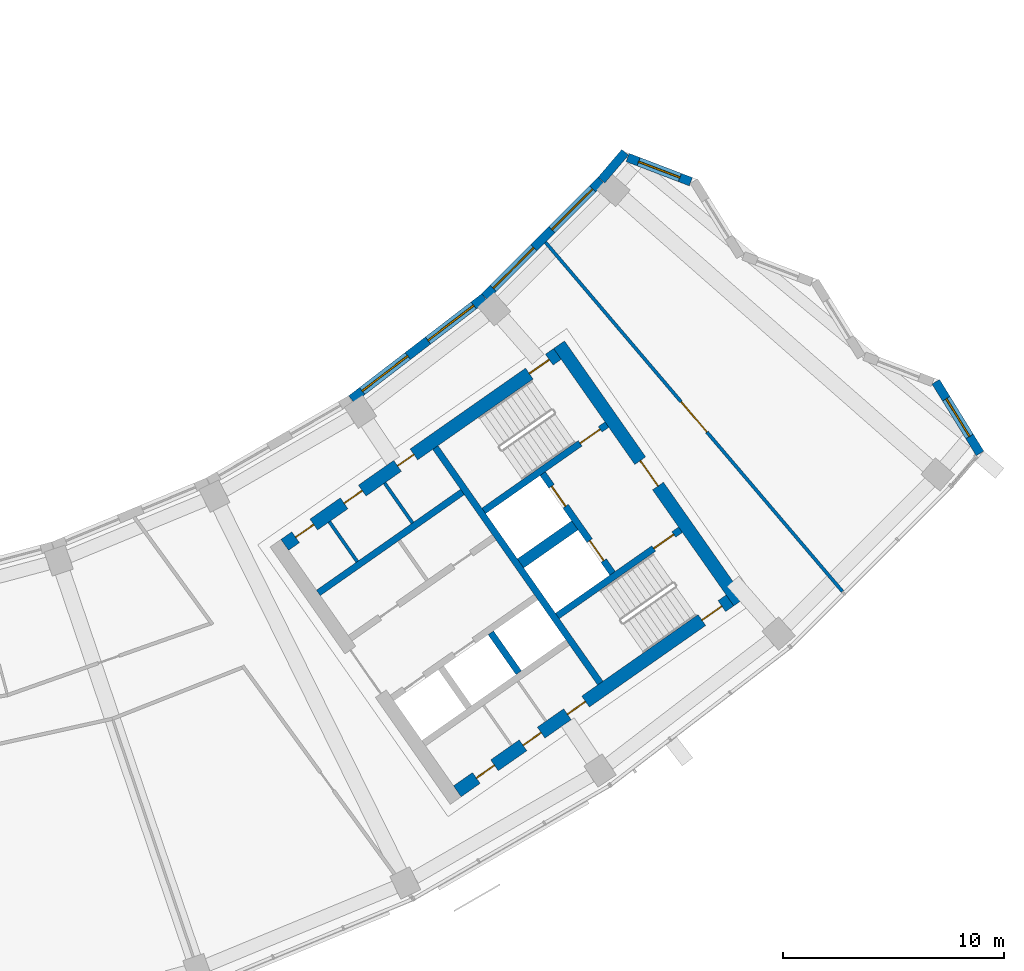
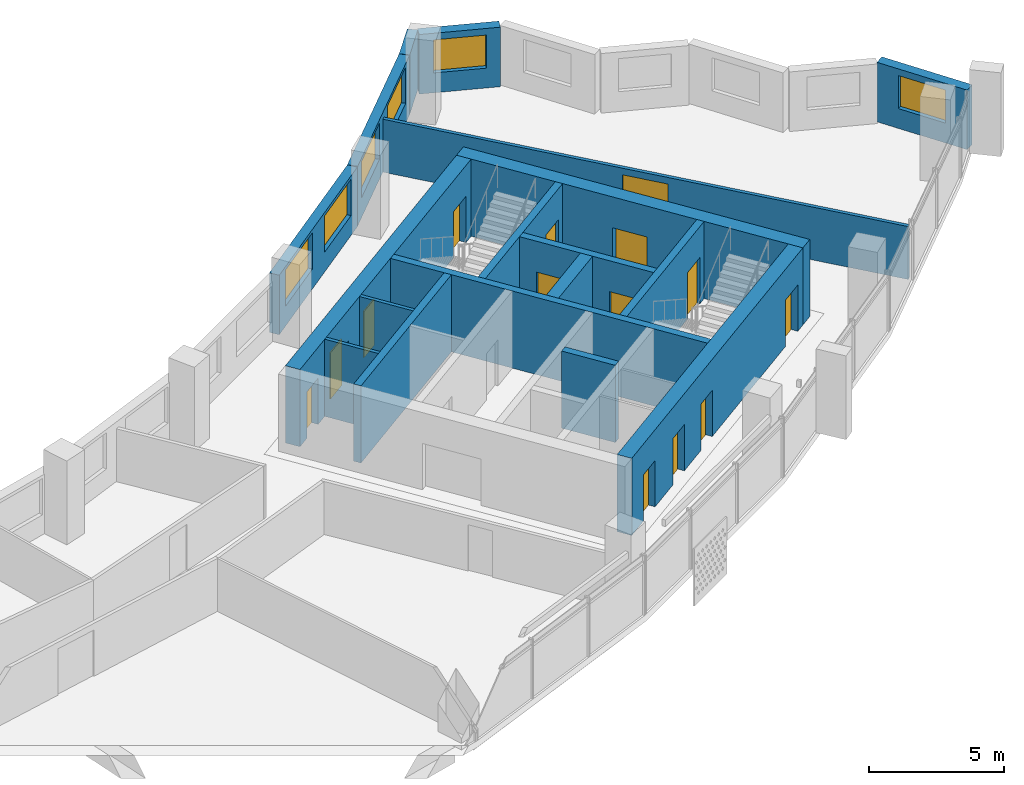
# One storey, part 7 of 28: 18 walls, 14 doors, 6 windows, 20 openings.
"""IFC4 building model written with IfcOpenShell, lengths in metres."""

from ifc_helpers import new_model, si_unit, direction, frame, frame_2d, origin, place, context, subcontext, project, spatial, rectangle, extrude, material, layer, layer_set, type_object, element, fill, save


model = new_model("IFC4")

# Units and contexts
model_context = context("Model", 3, precision=1e-05, world=origin(), true_north=direction((0.0, 1.0)))
body_context = subcontext(model_context, "Body", "Model", "MODEL_VIEW")
ifc_project = project(units=[si_unit("LENGTHUNIT", "METRE"), si_unit("AREAUNIT", "SQUARE_METRE"), si_unit("VOLUMEUNIT", "CUBIC_METRE"), si_unit("PLANEANGLEUNIT", "RADIAN"), si_unit("MASSUNIT", "GRAM", prefix="KILO")], contexts=[model_context])

# Site, building, storey
site_placement = place(None, origin())
site = spatial("IfcSite", under=ifc_project, at=site_placement, CompositionType="ELEMENT")
building_placement = place(site_placement, origin())
building = spatial("IfcBuilding", under=site, at=building_placement, Name="Qamariyya Broadcast Tower", CompositionType="ELEMENT")
storey_placement = place(building_placement, frame((0.0, 0.0, 215.10009765625)))
storey = spatial("IfcBuildingStorey", under=building, at=storey_placement, Name="L51", CompositionType="ELEMENT", Elevation=215.10009765625)

# Wall, opening, door
ifc_material_1 = material(Name="Concrete C60/75", Category="concrete")
ifc_layer_1 = layer(ifc_material_1, 0.60009765625)
ifc_layer_set_1 = layer_set([ifc_layer_1], Name="Core wall 600 mm Concrete C60/75")
wall_type_1 = type_object("IfcWallType", Name="Core wall 600 mm Concrete C60/75", PredefinedType="SHEAR", material=ifc_layer_set_1)
wall_1_placement = place(storey_placement, frame((49.4833984375, -57.031494140625, 0.0), z_axis=(0.0, 0.0, 1.0), x_axis=(-0.573560421458, 0.819163257805, 0.0)))
wall_1 = element("IfcWall", 1, at=wall_1_placement, inside=storey, type_object=wall_type_1, Name="k-E-L51-WH", PredefinedType="SHEAR", context=body_context, shape_type="SweptSolid", body=[
    extrude(rectangle(XDim=14.199951171875, YDim=0.60009765625, at=frame_2d((7.10009765625, 0.0))), origin(), (0.0, 0.0, 1.0), 3.5),
])
opening_1_placement = place(wall_1_placement, frame((6.39990234375, 0.0, 0.0)))
opening_1 = element("IfcOpeningElement", 2, at=opening_1_placement, cuts=wall_1, Name="Opening KD2-E1", PredefinedType="OPENING", context=body_context, shape_type="SweptSolid", body=[
    extrude(rectangle(XDim=1.39990234375, YDim=2.10009765625, at=frame_2d((0.699951171875, 1.050048828125))), frame((0.0, 0.31005859375, 0.0), z_axis=(0.0, -1.0, 0.0), x_axis=(1.0, 0.0, 0.0)), (0.0, 0.0, 1.0), 0.6201171875),
])
ifc_material_2 = material(Name="Steel fire-resisting door leaf", Category="steel")
door_type_1 = type_object("IfcDoorType", Name="Fire-fighting lobby door KD2", OperationType="DOUBLE_DOOR_SINGLE_SWING", PredefinedType="DOOR", material=ifc_material_2)
door_1_placement = place(opening_1_placement, origin())
door_1 = element("IfcDoor", 3, at=door_1_placement, inside=storey, type_object=door_type_1, Name="k-E-L51-WH-D14", OperationType="DOUBLE_DOOR_SINGLE_SWING", OverallHeight=2.10009765625, OverallWidth=1.39990234375, PredefinedType="DOOR", context=body_context, shape_type="SweptSolid", body=[
    extrude(rectangle(XDim=1.39990234375, YDim=2.10009765625, at=frame_2d((0.699951171875, 1.050048828125))), frame((0.0, 0.02490234375, 0.0), z_axis=(0.0, -1.0, 0.0), x_axis=(1.0, 0.0, 0.0)), (0.0, 0.0, 1.0), 0.050048828125),
])
fill(opening_1, door_1)

# Wall, openings, doors
wall_2_placement = place(storey_placement, frame((28.940673828125, -54.447021484375, 0.0), z_axis=(0.0, 0.0, 1.0), x_axis=(0.819153391756, 0.573574511963, 0.0)))
wall_2 = element("IfcWall", 4, at=wall_2_placement, inside=storey, type_object=wall_type_1, Name="k-E-L51-WI", PredefinedType="SHEAR", context=body_context, shape_type="SweptSolid", body=[
    extrude(rectangle(XDim=15.04541015625, YDim=0.60009765625, at=frame_2d((7.522705078125, 0.0))), origin(), (0.0, 0.0, 1.0), 3.5),
])
opening_2_placement = place(wall_2_placement, frame((0.60009765625, 0.0, 0.0)))
opening_2 = element("IfcOpeningElement", 5, at=opening_2_placement, cuts=wall_2, Name="Opening KD7-E1", PredefinedType="OPENING", context=body_context, shape_type="SweptSolid", body=[
    extrude(rectangle(XDim=1.0, YDim=2.10009765625, at=frame_2d((0.5, 1.050048828125))), frame((0.0, 0.31005859375, 0.0), z_axis=(0.0, -1.0, 0.0), x_axis=(1.0, 0.0, 0.0)), (0.0, 0.0, 1.0), 0.6201171875),
])
opening_3_placement = place(wall_2_placement, frame((3.27490234375, 0.0, 0.0)))
opening_3 = element("IfcOpeningElement", 6, at=opening_3_placement, cuts=wall_2, Name="Opening KD6-E3", PredefinedType="OPENING", context=body_context, shape_type="SweptSolid", body=[
    extrude(rectangle(XDim=1.0, YDim=2.10009765625, at=frame_2d((0.5, 1.050048828125))), frame((0.0, 0.31005859375, 0.0), z_axis=(0.0, -1.0, 0.0), x_axis=(1.0, 0.0, 0.0)), (0.0, 0.0, 1.0), 0.6201171875),
])
opening_4_placement = place(wall_2_placement, frame((6.22509765625, 0.0, 0.0)))
opening_4 = element("IfcOpeningElement", 7, at=opening_4_placement, cuts=wall_2, Name="Opening KD5-E1", PredefinedType="OPENING", context=body_context, shape_type="SweptSolid", body=[
    extrude(rectangle(XDim=0.89990234375, YDim=2.10009765625, at=frame_2d((0.449951171875, 1.050048828125))), frame((0.0, 0.31005859375, 0.0), z_axis=(0.0, -1.0, 0.0), x_axis=(1.0, 0.0, 0.0)), (0.0, 0.0, 1.0), 0.6201171875),
])
opening_5_placement = place(wall_2_placement, frame((13.495361328125, 0.0, 0.0)))
opening_5 = element("IfcOpeningElement", 8, at=opening_5_placement, cuts=wall_2, Name="Opening KD1-E1", PredefinedType="OPENING", context=body_context, shape_type="SweptSolid", body=[
    extrude(rectangle(XDim=1.10009765625, YDim=2.10009765625, at=frame_2d((0.550048828125, 1.050048828125))), frame((0.0, 0.31005859375, 0.0), z_axis=(0.0, -1.0, 0.0), x_axis=(1.0, 0.0, 0.0)), (0.0, 0.0, 1.0), 0.6201171875),
])
door_type_2 = type_object("IfcDoorType", Name="Accessible toilet door KD7", OperationType="SINGLE_SWING_LEFT", PredefinedType="DOOR", material=ifc_material_2)
door_2_placement = place(opening_2_placement, origin())
door_2 = element("IfcDoor", 9, at=door_2_placement, inside=storey, type_object=door_type_2, Name="k-E-L51-WI-D6", OperationType="SINGLE_SWING_RIGHT", OverallHeight=2.10009765625, OverallWidth=1.0, PredefinedType="DOOR", context=body_context, shape_type="SweptSolid", body=[
    extrude(rectangle(XDim=1.0, YDim=2.10009765625, at=frame_2d((0.5, 1.050048828125))), frame((0.0, 0.02490234375, 0.0), z_axis=(0.0, -1.0, 0.0), x_axis=(1.0, 0.0, 0.0)), (0.0, 0.0, 1.0), 0.050048828125),
])
fill(opening_2, door_2)
door_type_3 = type_object("IfcDoorType", Name="Core room door KD6", OperationType="SINGLE_SWING_LEFT", PredefinedType="DOOR", material=ifc_material_2)
door_3_placement = place(opening_3_placement, origin())
door_3 = element("IfcDoor", 10, at=door_3_placement, inside=storey, type_object=door_type_3, Name="k-E-L51-WI-D7", OperationType="SINGLE_SWING_LEFT", OverallHeight=2.10009765625, OverallWidth=1.0, PredefinedType="DOOR", context=body_context, shape_type="SweptSolid", body=[
    extrude(rectangle(XDim=1.0, YDim=2.10009765625, at=frame_2d((0.5, 1.050048828125))), frame((0.0, 0.02490234375, 0.0), z_axis=(0.0, -1.0, 0.0), x_axis=(1.0, 0.0, 0.0)), (0.0, 0.0, 1.0), 0.050048828125),
])
fill(opening_3, door_3)
door_type_4 = type_object("IfcDoorType", Name="Stair door KD1", OperationType="SINGLE_SWING_LEFT", PredefinedType="DOOR", material=ifc_material_2)
door_4_placement = place(opening_5_placement, origin())
door_4 = element("IfcDoor", 11, at=door_4_placement, inside=storey, type_object=door_type_4, Name="k-E-L51-WI-D15", OperationType="SINGLE_SWING_RIGHT", OverallHeight=2.10009765625, OverallWidth=1.10009765625, PredefinedType="DOOR", context=body_context, shape_type="SweptSolid", body=[
    extrude(rectangle(XDim=1.10009765625, YDim=2.10009765625, at=frame_2d((0.550048828125, 1.050048828125))), frame((0.0, 0.02490234375, 0.0), z_axis=(0.0, -1.0, 0.0), x_axis=(1.0, 0.0, 0.0)), (0.0, 0.0, 1.0), 0.050048828125),
])
fill(opening_5, door_4)
door_type_5 = type_object("IfcDoorType", Name="Toilet door KD5", OperationType="SINGLE_SWING_LEFT", PredefinedType="DOOR", material=ifc_material_2)
door_5_placement = place(opening_4_placement, origin())
door_5 = element("IfcDoor", 12, at=door_5_placement, inside=storey, type_object=door_type_5, Name="k-E-L51-WI-D8", OperationType="SINGLE_SWING_RIGHT", OverallHeight=2.10009765625, OverallWidth=0.89990234375, PredefinedType="DOOR", context=body_context, shape_type="SweptSolid", body=[
    extrude(rectangle(XDim=0.89990234375, YDim=2.10009765625, at=frame_2d((0.449951171875, 1.050048828125))), frame((0.0, 0.02490234375, 0.0), z_axis=(0.0, -1.0, 0.0), x_axis=(1.0, 0.0, 0.0)), (0.0, 0.0, 1.0), 0.050048828125),
])
fill(opening_4, door_5)

wall_3_placement = place(storey_placement, frame((36.7412109375, -65.58740234375, 0.0), z_axis=(0.0, 0.0, 1.0), x_axis=(0.819153391756, 0.573574511963, 0.0)))
wall_3 = element("IfcWall", 13, at=wall_3_placement, inside=storey, type_object=wall_type_1, Name="k-E-L51-WO", PredefinedType="SHEAR", context=body_context, shape_type="SweptSolid", body=[
    extrude(rectangle(XDim=15.04541015625, YDim=0.60009765625, at=frame_2d((7.522705078125, 0.0))), origin(), (0.0, 0.0, 1.0), 3.5),
])
opening_6_placement = place(wall_3_placement, frame((1.050048828125, 0.0, 0.0)))
opening_6 = element("IfcOpeningElement", 14, at=opening_6_placement, cuts=wall_3, Name="Opening KD4-E1", PredefinedType="OPENING", context=body_context, shape_type="SweptSolid", body=[
    extrude(rectangle(XDim=1.0, YDim=2.10009765625, at=frame_2d((0.5, 1.050048828125))), frame((0.0, 0.31005859375, 0.0), z_axis=(0.0, -1.0, 0.0), x_axis=(1.0, 0.0, 0.0)), (0.0, 0.0, 1.0), 0.6201171875),
])
opening_7_placement = place(wall_3_placement, frame((3.625, 0.0, 0.0)))
opening_7 = element("IfcOpeningElement", 15, at=opening_7_placement, cuts=wall_3, Name="Opening KD4-E2", PredefinedType="OPENING", context=body_context, shape_type="SweptSolid", body=[
    extrude(rectangle(XDim=1.0, YDim=2.10009765625, at=frame_2d((0.5, 1.050048828125))), frame((0.0, 0.31005859375, 0.0), z_axis=(0.0, -1.0, 0.0), x_axis=(1.0, 0.0, 0.0)), (0.0, 0.0, 1.0), 0.6201171875),
])
opening_8_placement = place(wall_3_placement, frame((6.074951171875, 0.0, 0.0)))
opening_8 = element("IfcOpeningElement", 16, at=opening_8_placement, cuts=wall_3, Name="Opening KD6-E4", PredefinedType="OPENING", context=body_context, shape_type="SweptSolid", body=[
    extrude(rectangle(XDim=1.0, YDim=2.10009765625, at=frame_2d((0.5, 1.050048828125))), frame((0.0, 0.31005859375, 0.0), z_axis=(0.0, -1.0, 0.0), x_axis=(1.0, 0.0, 0.0)), (0.0, 0.0, 1.0), 0.6201171875),
])
opening_9_placement = place(wall_3_placement, frame((13.495361328125, 0.0, 0.0)))
opening_9 = element("IfcOpeningElement", 17, at=opening_9_placement, cuts=wall_3, Name="Opening KD1-E3", PredefinedType="OPENING", context=body_context, shape_type="SweptSolid", body=[
    extrude(rectangle(XDim=1.10009765625, YDim=2.10009765625, at=frame_2d((0.550048828125, 1.050048828125))), frame((0.0, 0.31005859375, 0.0), z_axis=(0.0, -1.0, 0.0), x_axis=(1.0, 0.0, 0.0)), (0.0, 0.0, 1.0), 0.6201171875),
])
door_6_placement = place(opening_8_placement, origin())
door_6 = element("IfcDoor", 18, at=door_6_placement, inside=storey, type_object=door_type_3, Name="k-E-L51-WO-D11", OperationType="SINGLE_SWING_LEFT", OverallHeight=2.10009765625, OverallWidth=1.0, PredefinedType="DOOR", context=body_context, shape_type="SweptSolid", body=[
    extrude(rectangle(XDim=1.0, YDim=2.10009765625, at=frame_2d((0.5, 1.050048828125))), frame((0.0, 0.02490234375, 0.0), z_axis=(0.0, -1.0, 0.0), x_axis=(1.0, 0.0, 0.0)), (0.0, 0.0, 1.0), 0.050048828125),
])
fill(opening_8, door_6)
door_type_6 = type_object("IfcDoorType", Name="Riser and plant door KD4", OperationType="SINGLE_SWING_LEFT", PredefinedType="DOOR", material=ifc_material_2)
door_7_placement = place(opening_6_placement, origin())
door_7 = element("IfcDoor", 19, at=door_7_placement, inside=storey, type_object=door_type_6, Name="k-E-L51-WO-D9", OperationType="SINGLE_SWING_LEFT", OverallHeight=2.10009765625, OverallWidth=1.0, PredefinedType="DOOR", context=body_context, shape_type="SweptSolid", body=[
    extrude(rectangle(XDim=1.0, YDim=2.10009765625, at=frame_2d((0.5, 1.050048828125))), frame((0.0, 0.02490234375, 0.0), z_axis=(0.0, -1.0, 0.0), x_axis=(1.0, 0.0, 0.0)), (0.0, 0.0, 1.0), 0.050048828125),
])
fill(opening_6, door_7)
door_8_placement = place(opening_7_placement, origin())
door_8 = element("IfcDoor", 20, at=door_8_placement, inside=storey, type_object=door_type_6, Name="k-E-L51-WO-D10", OperationType="SINGLE_SWING_RIGHT", OverallHeight=2.10009765625, OverallWidth=1.0, PredefinedType="DOOR", context=body_context, shape_type="SweptSolid", body=[
    extrude(rectangle(XDim=1.0, YDim=2.10009765625, at=frame_2d((0.5, 1.050048828125))), frame((0.0, 0.02490234375, 0.0), z_axis=(0.0, -1.0, 0.0), x_axis=(1.0, 0.0, 0.0)), (0.0, 0.0, 1.0), 0.050048828125),
])
fill(opening_7, door_8)
door_9_placement = place(opening_9_placement, origin())
door_9 = element("IfcDoor", 21, at=door_9_placement, inside=storey, type_object=door_type_4, Name="k-E-L51-WO-D17", OperationType="SINGLE_SWING_LEFT", OverallHeight=2.10009765625, OverallWidth=1.10009765625, PredefinedType="DOOR", context=body_context, shape_type="SweptSolid", body=[
    extrude(rectangle(XDim=1.10009765625, YDim=2.10009765625, at=frame_2d((0.550048828125, 1.050048828125))), frame((0.0, 0.02490234375, 0.0), z_axis=(0.0, -1.0, 0.0), x_axis=(1.0, 0.0, 0.0)), (0.0, 0.0, 1.0), 0.050048828125),
])
fill(opening_9, door_9)

# Wall, opening, door
ifc_material_3 = material(Name="Gypsum board partition")
ifc_layer_2 = layer(ifc_material_3, 0.14990234375)
ifc_layer_set_2 = layer_set([ifc_layer_2], Name="Corridor partition 150 EI 60")
wall_type_2 = type_object("IfcWallType", Name="Corridor partition 150 EI 60", PredefinedType="PARTITIONING", material=ifc_layer_set_2)
wall_4_placement = place(storey_placement, frame((40.724853515625, -40.7705078125, 0.0), z_axis=(0.0, 0.0, 1.0), x_axis=(0.647962636986, -0.761672121762, 0.0)))
wall_4 = element("IfcWall", 22, at=wall_4_placement, inside=storey, type_object=wall_type_2, Name="Partition L51-028", PredefinedType="PARTITIONING", context=body_context, shape_type="SweptSolid", body=[
    extrude(rectangle(XDim=20.723388671875, YDim=0.14990234375, at=frame_2d((10.36181640625, 0.0))), origin(), (0.0, 0.0, 1.0), 2.39990234375),
])
opening_10_placement = place(wall_4_placement, frame((9.461669921875, 0.0, 0.0)))
opening_10 = element("IfcOpeningElement", 23, at=opening_10_placement, cuts=wall_4, Name="Opening L51-D14", PredefinedType="OPENING", context=body_context, shape_type="SweptSolid", body=[
    extrude(rectangle(XDim=1.800048828125, YDim=2.10009765625, at=frame_2d((0.89990234375, 1.050048828125))), frame((0.0, 0.0849609375, 0.0), z_axis=(0.0, -1.0, 0.0), x_axis=(1.0, 0.0, 0.0)), (0.0, 0.0, 1.0), 0.169921875),
])
ifc_material_4 = material(Name="Timber fire door leaf", Category="wood")
door_type_7 = type_object("IfcDoorType", Name="Double fire door 1800 x 2100 FD60", OperationType="NOTDEFINED", PredefinedType="DOOR", material=ifc_material_4)
door_10_placement = place(opening_10_placement, origin())
door_10 = element("IfcDoor", 24, at=door_10_placement, inside=storey, type_object=door_type_7, Name="Door L51-D14", OperationType="DOUBLE_DOOR_SINGLE_SWING", OverallHeight=2.10009765625, OverallWidth=1.800048828125, PredefinedType="DOOR", context=body_context, shape_type="SweptSolid", body=[
    extrude(rectangle(XDim=1.800048828125, YDim=2.10009765625, at=frame_2d((0.89990234375, 1.050048828125))), frame((0.0, 0.02490234375, 0.0), z_axis=(0.0, -1.0, 0.0), x_axis=(1.0, 0.0, 0.0)), (0.0, 0.0, 1.0), 0.050048828125),
])
fill(opening_10, door_10)

# Walls
ifc_layer_3 = layer(ifc_material_1, 0.5)
ifc_layer_set_3 = layer_set([ifc_layer_3], Name="Fire-fighting lobby divider wall 500 mm Concrete C60/75")
wall_type_3 = type_object("IfcWallType", Name="Fire-fighting lobby divider wall 500 mm Concrete C60/75", PredefinedType="SOLIDWALL", material=ifc_layer_set_3)
wall_5_placement = place(storey_placement, frame((39.59912109375, -55.28515625, 0.0), z_axis=(0.0, 0.0, 1.0), x_axis=(0.819136323161, 0.573598887793, 0.0)))
element("IfcWall", 25, at=wall_5_placement, inside=storey, type_object=wall_type_3, Name="k-E-L51-FD", PredefinedType="SOLIDWALL", context=body_context, shape_type="SweptSolid", body=[
    extrude(rectangle(XDim=2.999755859375, YDim=0.5, at=frame_2d((1.5, 0.0))), origin(), (0.0, 0.0, 1.0), 3.5),
])
ifc_material_5 = material(Name="Gypsum board partition on steel studs", Category="steel")
ifc_layer_4 = layer(ifc_material_5, 0.14990234375)
ifc_layer_set_4 = layer_set([ifc_layer_4], Name="Gypsum board partition 150 mm")
wall_type_4 = type_object("IfcWallType", Name="Gypsum board partition 150 mm", PredefinedType="PARTITIONING", material=ifc_layer_set_4)
wall_6_placement = place(storey_placement, frame((32.2177734375, -55.204345703125, 0.0), z_axis=(0.0, 0.0, 1.0), x_axis=(-0.573581496053, 0.819148501424, 0.0)))
element("IfcWall", 26, at=wall_6_placement, inside=storey, type_object=wall_type_4, Name="k-E-L51-NP225", PredefinedType="PARTITIONING", context=body_context, shape_type="SweptSolid", body=[
    extrude(rectangle(XDim=2.2001953125, YDim=0.14990234375, at=frame_2d((1.10009765625, 0.0))), origin(), (0.0, 0.0, 1.0), 3.5),
])
wall_7_placement = place(storey_placement, frame((34.716064453125, -53.454833984375, 0.0), z_axis=(0.0, 0.0, 1.0), x_axis=(-0.573507030513, 0.819200638399, 0.0)))
element("IfcWall", 27, at=wall_7_placement, inside=storey, type_object=wall_type_4, Name="k-E-L51-NP530", PredefinedType="PARTITIONING", context=body_context, shape_type="SweptSolid", body=[
    extrude(rectangle(XDim=2.199951171875, YDim=0.14990234375, at=frame_2d((1.10009765625, 0.0))), origin(), (0.0, 0.0, 1.0), 3.5),
])
ifc_layer_5 = layer(ifc_material_1, 0.300048828125)
ifc_layer_set_5 = layer_set([ifc_layer_5], Name="Lift shaft wall 300 mm Concrete C60/75")
wall_type_5 = type_object("IfcWallType", Name="Lift shaft wall 300 mm Concrete C60/75", PredefinedType="SOLIDWALL", material=ifc_layer_set_5)
wall_8_placement = place(storey_placement, frame((43.204345703125, -60.69580078125, 0.0), z_axis=(0.0, 0.0, 1.0), x_axis=(-0.573571992966, 0.819155155563, 0.0)))
element("IfcWall", 28, at=wall_8_placement, inside=storey, type_object=wall_type_5, Name="k-E-L51-WL", PredefinedType="SOLIDWALL", context=body_context, shape_type="SweptSolid", body=[
    extrude(rectangle(XDim=13.000244140625, YDim=0.300048828125, at=frame_2d((6.5, 0.0))), origin(), (0.0, 0.0, 1.0), 3.5),
])
wall_9_placement = place(storey_placement, frame((30.460693359375, -56.61767578125, 0.0), z_axis=(0.0, 0.0, 1.0), x_axis=(0.819142461705, 0.573590121456, 0.0)))
element("IfcWall", 29, at=wall_9_placement, inside=storey, type_object=wall_type_5, Name="k-E-L51-NB0", PredefinedType="SOLIDWALL", context=body_context, shape_type="SweptSolid", body=[
    extrude(rectangle(XDim=7.949951171875, YDim=0.300048828125, at=frame_2d((3.97509765625, 0.0))), origin(), (0.0, 0.0, 1.0), 3.5),
])
wall_10_placement = place(storey_placement, frame((38.255859375, -58.423095703125, 0.0), z_axis=(0.0, 0.0, 1.0), x_axis=(0.573633636671, -0.819111989218, 0.0)))
element("IfcWall", 30, at=wall_10_placement, inside=storey, type_object=wall_type_5, Name="k-E-L51-SD1", PredefinedType="SOLIDWALL", context=body_context, shape_type="SweptSolid", body=[
    extrude(rectangle(XDim=2.199951171875, YDim=0.300048828125, at=frame_2d((1.10009765625, 0.0))), origin(), (0.0, 0.0, 1.0), 3.5),
])

# Wall, opening, door
wall_11_placement = place(storey_placement, frame((37.935546875, -52.90966796875, 0.0), z_axis=(0.0, 0.0, 1.0), x_axis=(0.819147518138, 0.57358290031, 0.0)))
wall_11 = element("IfcWall", 31, at=wall_11_placement, inside=storey, type_object=wall_type_5, Name="k-E-L51-NW", PredefinedType="SOLIDWALL", context=body_context, shape_type="SweptSolid", body=[
    extrude(rectangle(XDim=6.79541015625, YDim=0.300048828125, at=frame_2d((3.397705078125, 0.0))), origin(), (0.0, 0.0, 1.0), 3.5),
])
opening_11_placement = place(wall_11_placement, frame((5.3203125, 0.0, 0.0)))
opening_11 = element("IfcOpeningElement", 32, at=opening_11_placement, cuts=wall_11, Name="Opening KD1-E2", PredefinedType="OPENING", context=body_context, shape_type="SweptSolid", body=[
    extrude(rectangle(XDim=1.10009765625, YDim=2.10009765625, at=frame_2d((0.550048828125, 1.050048828125))), frame((0.0, 0.159912109375, 0.0), z_axis=(0.0, -1.0, 0.0), x_axis=(1.0, 0.0, 0.0)), (0.0, 0.0, 1.0), 0.320068359375),
])
door_11_placement = place(opening_11_placement, origin())
door_11 = element("IfcDoor", 33, at=door_11_placement, inside=storey, type_object=door_type_4, Name="k-E-L51-NW-D16", OperationType="SINGLE_SWING_RIGHT", OverallHeight=2.10009765625, OverallWidth=1.10009765625, PredefinedType="DOOR", context=body_context, shape_type="SweptSolid", body=[
    extrude(rectangle(XDim=1.10009765625, YDim=2.10009765625, at=frame_2d((0.550048828125, 1.050048828125))), frame((0.0, 0.02490234375, 0.0), z_axis=(0.0, -1.0, 0.0), x_axis=(1.0, 0.0, 0.0)), (0.0, 0.0, 1.0), 0.050048828125),
])
fill(opening_11, door_11)

wall_12_placement = place(storey_placement, frame((41.262451171875, -57.66064453125, 0.0), z_axis=(0.0, 0.0, 1.0), x_axis=(0.819164398642, 0.573558792102, 0.0)))
wall_12 = element("IfcWall", 34, at=wall_12_placement, inside=storey, type_object=wall_type_5, Name="k-E-L51-SW", PredefinedType="SOLIDWALL", context=body_context, shape_type="SweptSolid", body=[
    extrude(rectangle(XDim=6.795166015625, YDim=0.300048828125, at=frame_2d((3.3974609375, 0.0))), origin(), (0.0, 0.0, 1.0), 3.5),
])
opening_12_placement = place(wall_12_placement, frame((5.3203125, 0.0, 0.0)))
opening_12 = element("IfcOpeningElement", 35, at=opening_12_placement, cuts=wall_12, Name="Opening KD1-E4", PredefinedType="OPENING", context=body_context, shape_type="SweptSolid", body=[
    extrude(rectangle(XDim=1.10009765625, YDim=2.10009765625, at=frame_2d((0.550048828125, 1.050048828125))), frame((0.0, 0.159912109375, 0.0), z_axis=(0.0, -1.0, 0.0), x_axis=(1.0, 0.0, 0.0)), (0.0, 0.0, 1.0), 0.320068359375),
])
door_12_placement = place(opening_12_placement, origin())
door_12 = element("IfcDoor", 36, at=door_12_placement, inside=storey, type_object=door_type_4, Name="k-E-L51-SW-D18", OperationType="SINGLE_SWING_RIGHT", OverallHeight=2.10009765625, OverallWidth=1.10009765625, PredefinedType="DOOR", context=body_context, shape_type="SweptSolid", body=[
    extrude(rectangle(XDim=1.10009765625, YDim=2.10009765625, at=frame_2d((0.550048828125, 1.050048828125))), frame((0.0, 0.02490234375, 0.0), z_axis=(0.0, -1.0, 0.0), x_axis=(1.0, 0.0, 0.0)), (0.0, 0.0, 1.0), 0.050048828125),
])
fill(opening_12, door_12)

# Wall, openings, doors
wall_13_placement = place(storey_placement, frame((43.756591796875, -55.731201171875, 0.0), z_axis=(0.0, 0.0, 1.0), x_axis=(-0.573536818435, 0.819179783625, 0.0)))
wall_13 = element("IfcWall", 37, at=wall_13_placement, inside=storey, type_object=wall_type_5, Name="k-E-L51-FF", PredefinedType="SOLIDWALL", context=body_context, shape_type="SweptSolid", body=[
    extrude(rectangle(XDim=5.500244140625, YDim=0.300048828125, at=frame_2d((2.75, 0.0))), origin(), (0.0, 0.0, 1.0), 3.5),
])
opening_13_placement = place(wall_13_placement, frame((0.699951171875, 0.0, 0.0)))
opening_13 = element("IfcOpeningElement", 38, at=opening_13_placement, cuts=wall_13, Name="Opening LD", PredefinedType="OPENING", context=body_context, shape_type="SweptSolid", body=[
    extrude(rectangle(XDim=1.10009765625, YDim=2.10009765625, at=frame_2d((0.550048828125, 1.050048828125))), frame((0.0, 0.159912109375, 0.0), z_axis=(0.0, -1.0, 0.0), x_axis=(1.0, 0.0, 0.0)), (0.0, 0.0, 1.0), 0.320068359375),
])
opening_14_placement = place(wall_13_placement, frame((3.699951171875, 0.0, 0.0)))
opening_14 = element("IfcOpeningElement", 39, at=opening_14_placement, cuts=wall_13, Name="Opening LD", PredefinedType="OPENING", context=body_context, shape_type="SweptSolid", body=[
    extrude(rectangle(XDim=1.10009765625, YDim=2.10009765625, at=frame_2d((0.550048828125, 1.050048828125))), frame((0.0, 0.159912109375, 0.0), z_axis=(0.0, -1.0, 0.0), x_axis=(1.0, 0.0, 0.0)), (0.0, 0.0, 1.0), 0.320068359375),
])
door_type_8 = type_object("IfcDoorType", Name="Lift landing door LD", OperationType="DOUBLE_DOOR_SLIDING", PredefinedType="DOOR", material=ifc_material_2)
door_13_placement = place(opening_13_placement, origin())
door_13 = element("IfcDoor", 40, at=door_13_placement, inside=storey, type_object=door_type_8, Name="k-E-L51-FF-D12", OperationType="DOUBLE_DOOR_SLIDING", OverallHeight=2.10009765625, OverallWidth=1.10009765625, PredefinedType="DOOR", context=body_context, shape_type="SweptSolid", body=[
    extrude(rectangle(XDim=1.10009765625, YDim=2.10009765625, at=frame_2d((0.550048828125, 1.050048828125))), frame((0.0, 0.02490234375, 0.0), z_axis=(0.0, -1.0, 0.0), x_axis=(1.0, 0.0, 0.0)), (0.0, 0.0, 1.0), 0.050048828125),
])
fill(opening_13, door_13)
door_14_placement = place(opening_14_placement, origin())
door_14 = element("IfcDoor", 41, at=door_14_placement, inside=storey, type_object=door_type_8, Name="k-E-L51-FF-D13", OperationType="DOUBLE_DOOR_SLIDING", OverallHeight=2.10009765625, OverallWidth=1.10009765625, PredefinedType="DOOR", context=body_context, shape_type="SweptSolid", body=[
    extrude(rectangle(XDim=1.10009765625, YDim=2.10009765625, at=frame_2d((0.550048828125, 1.050048828125))), frame((0.0, 0.02490234375, 0.0), z_axis=(0.0, -1.0, 0.0), x_axis=(1.0, 0.0, 0.0)), (0.0, 0.0, 1.0), 0.050048828125),
])
fill(opening_14, door_14)

# Wall, opening, window
ifc_material_6 = material(Name="Terracotta", Category="masonry")
ifc_layer_6 = layer(ifc_material_6, 0.39990234375)
ifc_layer_set_6 = layer_set([ifc_layer_6], Name="Terracotta clad wall 400")
wall_type_6 = type_object("IfcWallType", Name="Terracotta clad wall 400", PredefinedType="SOLIDWALL", material=ifc_layer_set_6)
wall_14_placement = place(storey_placement, frame((60.36865234375, -50.3134765625, 0.0), z_axis=(0.0, 0.0, 1.0), x_axis=(-0.525462859005, 0.850816539453, 0.0)))
wall_14 = element("IfcWall", 42, at=wall_14_placement, inside=storey, type_object=wall_type_6, Name="e-wl-L51-capE0", PredefinedType="SOLIDWALL", context=body_context, shape_type="SweptSolid", body=[
    extrude(rectangle(XDim=3.808837890625, YDim=0.39990234375, at=frame_2d((1.904296875, 0.0))), origin(), (0.0, 0.0, 1.0), 2.699951171875),
])
opening_15_placement = place(wall_14_placement, frame((0.904296875, 0.0, 0.89990234375)))
opening_15 = element("IfcOpeningElement", 43, at=opening_15_placement, cuts=wall_14, Name="Opening W4", PredefinedType="OPENING", context=body_context, shape_type="SweptSolid", body=[
    extrude(rectangle(XDim=2.0, YDim=1.5, at=frame_2d((1.0, 0.75))), frame((0.0, 0.2099609375, 0.0), z_axis=(0.0, -1.0, 0.0), x_axis=(1.0, 0.0, 0.0)), (0.0, 0.0, 1.0), 0.419921875),
])
ifc_material_7 = material(Name="Clear low-e double glazed unit in aluminium frame", Category="aluminium")
window_type_1 = type_object("IfcWindowType", Name="Horn bay window 2000 x 1500", PartitioningType="SINGLE_PANEL", PredefinedType="WINDOW", material=ifc_material_7)
window_1_placement = place(opening_15_placement, origin())
window_1 = element("IfcWindow", 44, at=window_1_placement, inside=storey, type_object=window_type_1, Name="e-w-L51-capE0", OverallHeight=1.5, OverallWidth=2.0, PartitioningType="SINGLE_PANEL", PredefinedType="WINDOW", context=body_context, shape_type="SweptSolid", body=[
    extrude(rectangle(XDim=2.0, YDim=1.5, at=frame_2d((1.0, 0.75))), frame((0.0, 0.030029296875, 0.0), z_axis=(0.0, -1.0, 0.0), x_axis=(1.0, 0.0, 0.0)), (0.0, 0.0, 1.0), 0.06005859375),
])
fill(opening_15, window_1)

wall_15_placement = place(storey_placement, frame((47.29638671875, -38.03125, 0.0), z_axis=(0.0, 0.0, 1.0), x_axis=(-0.933989962314, 0.357299244747, 0.0)))
wall_15 = element("IfcWall", 45, at=wall_15_placement, inside=storey, type_object=wall_type_6, Name="e-wl-L51-capE5", PredefinedType="SOLIDWALL", context=body_context, shape_type="SweptSolid", body=[
    extrude(rectangle(XDim=3.05908203125, YDim=0.39990234375, at=frame_2d((1.529541015625, 0.0))), origin(), (0.0, 0.0, 1.0), 2.699951171875),
])
opening_16_placement = place(wall_15_placement, frame((0.529541015625, 0.0, 0.89990234375)))
opening_16 = element("IfcOpeningElement", 46, at=opening_16_placement, cuts=wall_15, Name="Opening W4", PredefinedType="OPENING", context=body_context, shape_type="SweptSolid", body=[
    extrude(rectangle(XDim=2.0, YDim=1.5, at=frame_2d((1.0, 0.75))), frame((0.0, 0.2099609375, 0.0), z_axis=(0.0, -1.0, 0.0), x_axis=(1.0, 0.0, 0.0)), (0.0, 0.0, 1.0), 0.419921875),
])
window_2_placement = place(opening_16_placement, origin())
window_2 = element("IfcWindow", 47, at=window_2_placement, inside=storey, type_object=window_type_1, Name="e-w-L51-capE5", OverallHeight=1.5, OverallWidth=2.0, PartitioningType="SINGLE_PANEL", PredefinedType="WINDOW", context=body_context, shape_type="SweptSolid", body=[
    extrude(rectangle(XDim=2.0, YDim=1.5, at=frame_2d((1.0, 0.75))), frame((0.0, 0.030029296875, 0.0), z_axis=(0.0, -1.0, 0.0), x_axis=(1.0, 0.0, 0.0)), (0.0, 0.0, 1.0), 0.06005859375),
])
fill(opening_16, window_2)

# Wall, openings, windows
wall_16_placement = place(storey_placement, frame((37.965576171875, -43.25341796875, 0.0), z_axis=(0.0, 0.0, 1.0), x_axis=(-0.793356365089, -0.608757486995, 0.0)))
wall_16 = element("IfcWall", 48, at=wall_16_placement, inside=storey, type_object=wall_type_6, Name="e-wl-L51-in130", PredefinedType="SOLIDWALL", context=body_context, shape_type="SweptSolid", body=[
    extrude(rectangle(XDim=7.578125, YDim=0.39990234375, at=frame_2d((3.7890625, 0.0))), origin(), (0.0, 0.0, 1.0), 2.699951171875),
])
opening_17_placement = place(wall_16_placement, frame((4.364501953125, 0.0, 0.89990234375)))
opening_17 = element("IfcOpeningElement", 49, at=opening_17_placement, cuts=wall_16, Name="Opening W1", PredefinedType="OPENING", context=body_context, shape_type="SweptSolid", body=[
    extrude(rectangle(XDim=2.60009765625, YDim=1.64990234375, at=frame_2d((1.300048828125, 0.824951171875))), frame((0.0, 0.2099609375, 0.0), z_axis=(0.0, -1.0, 0.0), x_axis=(1.0, 0.0, 0.0)), (0.0, 0.0, 1.0), 0.419921875),
])
opening_18_placement = place(wall_16_placement, frame((0.613525390625, 0.0, 0.89990234375)))
opening_18 = element("IfcOpeningElement", 50, at=opening_18_placement, cuts=wall_16, Name="Opening W1", PredefinedType="OPENING", context=body_context, shape_type="SweptSolid", body=[
    extrude(rectangle(XDim=2.60009765625, YDim=1.64990234375, at=frame_2d((1.300048828125, 0.824951171875))), frame((0.0, 0.2099609375, 0.0), z_axis=(0.0, -1.0, 0.0), x_axis=(1.0, 0.0, 0.0)), (0.0, 0.0, 1.0), 0.419921875),
])
window_type_2 = type_object("IfcWindowType", Name="Ribbon window 2600 x 1650", PartitioningType="SINGLE_PANEL", PredefinedType="WINDOW", material=ifc_material_7)
window_3_placement = place(opening_17_placement, origin())
window_3 = element("IfcWindow", 51, at=window_3_placement, inside=storey, type_object=window_type_2, Name="e-w-L51-in13-0", OverallHeight=1.64990234375, OverallWidth=2.60009765625, PartitioningType="SINGLE_PANEL", PredefinedType="WINDOW", context=body_context, shape_type="SweptSolid", body=[
    extrude(rectangle(XDim=2.60009765625, YDim=1.64990234375, at=frame_2d((1.300048828125, 0.824951171875))), frame((0.0, 0.030029296875, 0.0), z_axis=(0.0, -1.0, 0.0), x_axis=(1.0, 0.0, 0.0)), (0.0, 0.0, 1.0), 0.06005859375),
])
fill(opening_17, window_3)
window_4_placement = place(opening_18_placement, origin())
window_4 = element("IfcWindow", 52, at=window_4_placement, inside=storey, type_object=window_type_2, Name="e-w-L51-in13-1", OverallHeight=1.64990234375, OverallWidth=2.60009765625, PartitioningType="SINGLE_PANEL", PredefinedType="WINDOW", context=body_context, shape_type="SweptSolid", body=[
    extrude(rectangle(XDim=2.60009765625, YDim=1.64990234375, at=frame_2d((1.300048828125, 0.824951171875))), frame((0.0, 0.030029296875, 0.0), z_axis=(0.0, -1.0, 0.0), x_axis=(1.0, 0.0, 0.0)), (0.0, 0.0, 1.0), 0.06005859375),
])
fill(opening_18, window_4)

wall_17_placement = place(storey_placement, frame((43.243408203125, -37.970947265625, 0.0), z_axis=(0.0, 0.0, 1.0), x_axis=(-0.707106781187, -0.707106781187, 0.0)))
wall_17 = element("IfcWall", 53, at=wall_17_placement, inside=storey, type_object=wall_type_6, Name="e-wl-L51-in140", PredefinedType="SOLIDWALL", context=body_context, shape_type="SweptSolid", body=[
    extrude(rectangle(XDim=7.441650390625, YDim=0.39990234375, at=frame_2d((3.720703125, 0.0))), origin(), (0.0, 0.0, 1.0), 2.699951171875),
])
opening_19_placement = place(wall_17_placement, frame((4.303466796875, 0.0, 0.89990234375)))
opening_19 = element("IfcOpeningElement", 54, at=opening_19_placement, cuts=wall_17, Name="Opening W1", PredefinedType="OPENING", context=body_context, shape_type="SweptSolid", body=[
    extrude(rectangle(XDim=2.60009765625, YDim=1.64990234375, at=frame_2d((1.300048828125, 0.824951171875))), frame((0.0, 0.2099609375, 0.0), z_axis=(0.0, -1.0, 0.0), x_axis=(1.0, 0.0, 0.0)), (0.0, 0.0, 1.0), 0.419921875),
])
opening_20_placement = place(wall_17_placement, frame((0.552734375, 0.0, 0.89990234375)))
opening_20 = element("IfcOpeningElement", 55, at=opening_20_placement, cuts=wall_17, Name="Opening W1", PredefinedType="OPENING", context=body_context, shape_type="SweptSolid", body=[
    extrude(rectangle(XDim=2.60009765625, YDim=1.64990234375, at=frame_2d((1.300048828125, 0.824951171875))), frame((0.0, 0.2099609375, 0.0), z_axis=(0.0, -1.0, 0.0), x_axis=(1.0, 0.0, 0.0)), (0.0, 0.0, 1.0), 0.419921875),
])
window_5_placement = place(opening_19_placement, origin())
window_5 = element("IfcWindow", 56, at=window_5_placement, inside=storey, type_object=window_type_2, Name="e-w-L51-in14-0", OverallHeight=1.64990234375, OverallWidth=2.60009765625, PartitioningType="SINGLE_PANEL", PredefinedType="WINDOW", context=body_context, shape_type="SweptSolid", body=[
    extrude(rectangle(XDim=2.60009765625, YDim=1.64990234375, at=frame_2d((1.300048828125, 0.824951171875))), frame((0.0, 0.030029296875, 0.0), z_axis=(0.0, -1.0, 0.0), x_axis=(1.0, 0.0, 0.0)), (0.0, 0.0, 1.0), 0.06005859375),
])
fill(opening_19, window_5)
window_6_placement = place(opening_20_placement, origin())
window_6 = element("IfcWindow", 57, at=window_6_placement, inside=storey, type_object=window_type_2, Name="e-w-L51-in14-1", OverallHeight=1.64990234375, OverallWidth=2.60009765625, PartitioningType="SINGLE_PANEL", PredefinedType="WINDOW", context=body_context, shape_type="SweptSolid", body=[
    extrude(rectangle(XDim=2.60009765625, YDim=1.64990234375, at=frame_2d((1.300048828125, 0.824951171875))), frame((0.0, 0.030029296875, 0.0), z_axis=(0.0, -1.0, 0.0), x_axis=(1.0, 0.0, 0.0)), (0.0, 0.0, 1.0), 0.06005859375),
])
fill(opening_20, window_6)

# Wall
wall_18_placement = place(storey_placement, frame((44.327392578125, -36.70361328125, 0.0), z_axis=(0.0, 0.0, 1.0), x_axis=(-0.648878673017, -0.76089188963, 0.0)))
element("IfcWall", 58, at=wall_18_placement, inside=storey, type_object=wall_type_6, Name="e-wl-L51-in150", PredefinedType="SOLIDWALL", context=body_context, shape_type="SweptSolid", body=[
    extrude(rectangle(XDim=1.652099609375, YDim=0.39990234375, at=frame_2d((0.826171875, 0.0))), origin(), (0.0, 0.0, 1.0), 2.699951171875),
])

save(model, "model.ifc")
